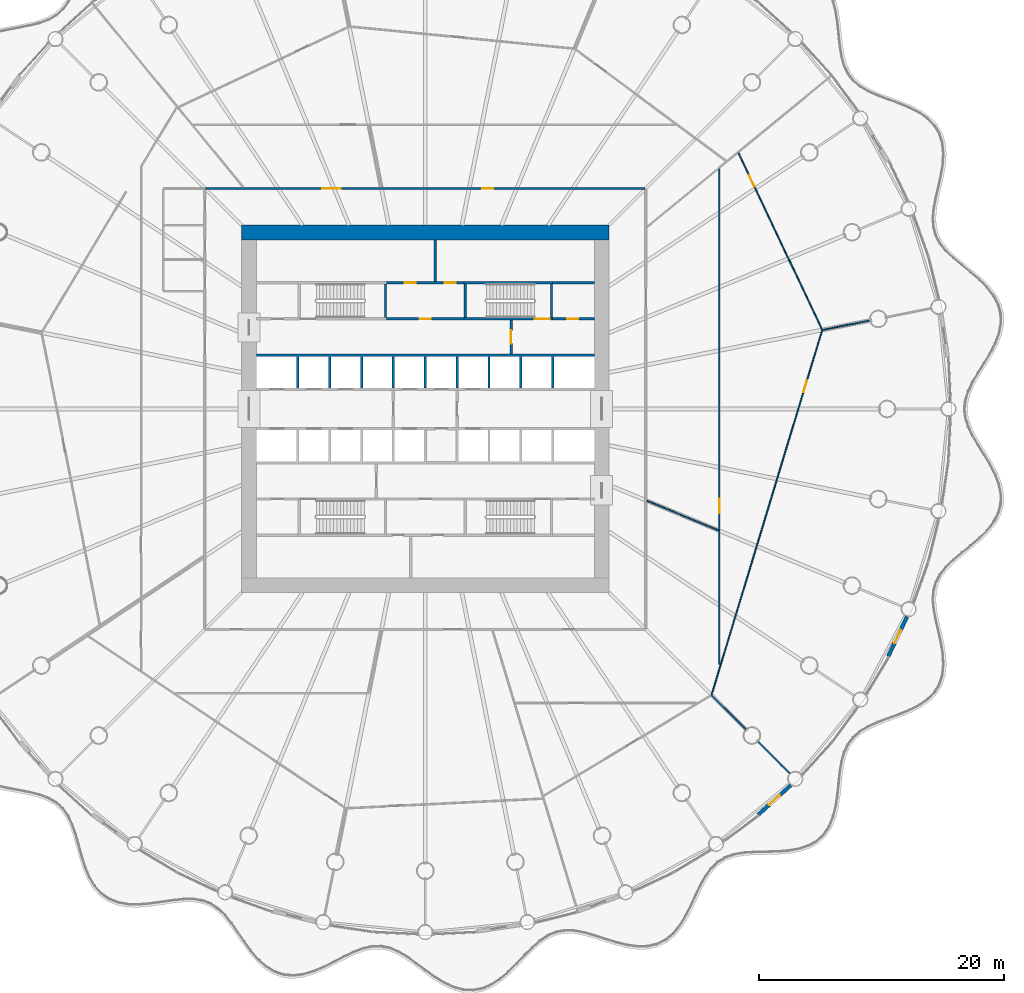
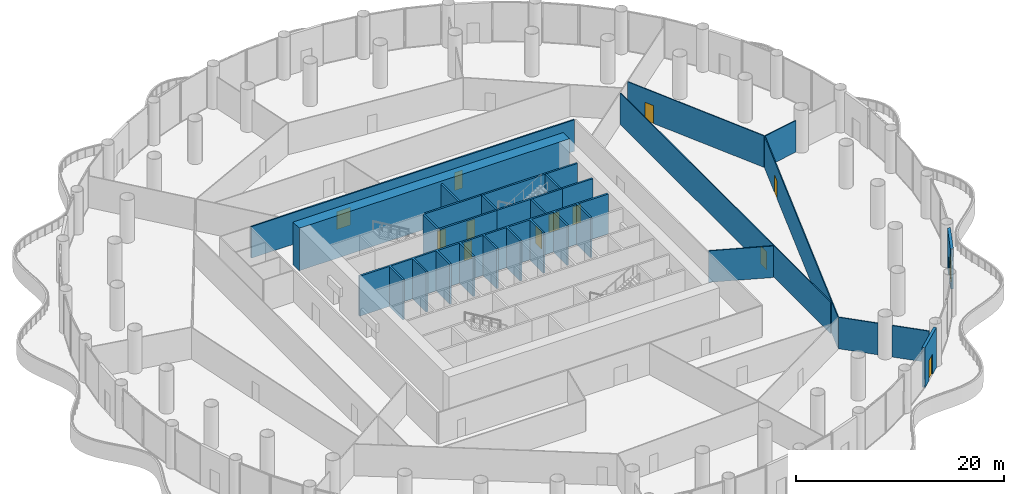
# One storey, part 25 of 35: 24 walls, 13 doors, 13 openings.
"""IFC4 building model written with IfcOpenShell, lengths in metres."""

from ifc_helpers import new_model, si_unit, direction, frame, frame_2d, origin, place, context, subcontext, project, spatial, polyline, rectangle, outline, extrude, material, layer, layer_set, type_object, element, fill, save


model = new_model("IFC4")

# Units and contexts
model_context = context("Model", 3, precision=1e-05, world=origin(), true_north=direction((0.0, 1.0)))
body_context = subcontext(model_context, "Body", "Model", "MODEL_VIEW")
ifc_project = project(units=[si_unit("LENGTHUNIT", "METRE"), si_unit("AREAUNIT", "SQUARE_METRE"), si_unit("VOLUMEUNIT", "CUBIC_METRE"), si_unit("PLANEANGLEUNIT", "RADIAN"), si_unit("MASSUNIT", "GRAM", prefix="KILO")], contexts=[model_context])

# Site, building, storey
site_placement = place(None, origin())
site = spatial("IfcSite", under=ifc_project, at=site_placement, CompositionType="ELEMENT")
building_placement = place(site_placement, origin())
building = spatial("IfcBuilding", under=site, at=building_placement, Name="Corvane Civic Tower", CompositionType="ELEMENT")
storey_placement = place(building_placement, frame((0.0, 0.0, 22.0)))
storey = spatial("IfcBuildingStorey", under=building, at=storey_placement, Name="L04", CompositionType="ELEMENT", Elevation=22.0)

# Wall
ifc_material_1 = material(Name="Concrete C80/95", Category="concrete")
ifc_layer_1 = layer(ifc_material_1, 1.199951171875)
ifc_layer_set_1 = layer_set([ifc_layer_1], Name="Concrete C80/95")
wall_type_1 = type_object("IfcWallType", Name="CORE WALL 1200 C80/95", PredefinedType="SHEAR", material=ifc_layer_set_1)
wall_1_placement = place(storey_placement, frame((-15.0, 14.39990234375, 0.0), z_axis=(0.0, 0.0, 1.0), x_axis=(1.0, 0.0, 0.0)))
element("IfcWall", 1, at=wall_1_placement, inside=storey, type_object=wall_type_1, Name="W-L04-core-N", PredefinedType="SHEAR", context=body_context, shape_type="SweptSolid", body=[
    extrude(rectangle(XDim=30.0, YDim=1.199951171875, at=frame_2d((15.0, 0.0))), origin(), (0.0, 0.0, 1.0), 5.0),
])

# Wall, opening, door
ifc_material_2 = material(Name="Concrete C30/37", Category="concrete")
ifc_layer_2 = layer(ifc_material_2, 0.199951171875)
ifc_layer_set_2 = layer_set([ifc_layer_2], Name="Concrete C30/37")
wall_type_2 = type_object("IfcWallType", Name="CR-WALL-200", PredefinedType="PARTITIONING", material=ifc_layer_set_2)
wall_2_placement = place(storey_placement, frame((-3.14990234375, 7.35009765625, 0.0), z_axis=(0.0, 0.0, 1.0), x_axis=(1.0, 0.0, 0.0)))
wall_2 = element("IfcWall", 2, at=wall_2_placement, inside=storey, type_object=wall_type_2, Name="L04 core partition wall", PredefinedType="PARTITIONING", context=body_context, shape_type="SweptSolid", body=[
    extrude(rectangle(XDim=6.2998046875, YDim=0.199951171875, at=frame_2d((3.14990234375, 0.0))), origin(), (0.0, 0.0, 1.0), 4.699951171875),
])
opening_1_placement = place(wall_2_placement, frame((2.699951171875, 0.0, 0.0)))
opening_1 = element("IfcOpeningElement", 3, at=opening_1_placement, cuts=wall_2, Name="Opening L04.C02", PredefinedType="OPENING", context=body_context, shape_type="SweptSolid", body=[
    extrude(rectangle(XDim=0.89990234375, YDim=2.10009765625, at=frame_2d((0.449951171875, 1.050048828125))), frame((0.0, 0.10986328125, 0.0), z_axis=(0.0, -1.0, 0.0), x_axis=(1.0, 0.0, 0.0)), (0.0, 0.0, 1.0), 0.219970703125),
])
ifc_material_3 = material(Name="Steel fire door leaf", Category="steel")
door_type_1 = type_object("IfcDoorType", Name="CR-DOOR-900", OperationType="SINGLE_SWING_LEFT", PredefinedType="DOOR", material=ifc_material_3)
door_1_placement = place(opening_1_placement, origin())
door_1 = element("IfcDoor", 4, at=door_1_placement, inside=storey, type_object=door_type_1, Name="L04 door", OperationType="SINGLE_SWING_LEFT", OverallHeight=2.10009765625, OverallWidth=0.89990234375, PredefinedType="DOOR", context=body_context, shape_type="SweptSolid", body=[
    extrude(rectangle(XDim=0.89990234375, YDim=2.10009765625, at=frame_2d((0.449951171875, 1.050048828125))), frame((0.0, 0.02490234375, 0.0), z_axis=(0.0, -1.0, 0.0), x_axis=(1.0, 0.0, 0.0)), (0.0, 0.0, 1.0), 0.050048828125),
])
fill(opening_1, door_1)

wall_3_placement = place(storey_placement, frame((10.39990234375, 7.35009765625, 0.0), z_axis=(0.0, 0.0, 1.0), x_axis=(1.0, 0.0, 0.0)))
wall_3 = element("IfcWall", 5, at=wall_3_placement, inside=storey, type_object=wall_type_2, Name="L04 core partition wall", PredefinedType="PARTITIONING", context=body_context, shape_type="SweptSolid", body=[
    extrude(rectangle(XDim=3.400146484375, YDim=0.199951171875, at=frame_2d((1.7001953125, 0.0))), origin(), (0.0, 0.0, 1.0), 4.699951171875),
])
opening_2_placement = place(wall_3_placement, frame((1.199951171875, 0.0, 0.0)))
opening_2 = element("IfcOpeningElement", 6, at=opening_2_placement, cuts=wall_3, Name="Opening L04.C10", PredefinedType="OPENING", context=body_context, shape_type="SweptSolid", body=[
    extrude(rectangle(XDim=0.89990234375, YDim=2.10009765625, at=frame_2d((0.449951171875, 1.050048828125))), frame((0.0, 0.10986328125, 0.0), z_axis=(0.0, -1.0, 0.0), x_axis=(1.0, 0.0, 0.0)), (0.0, 0.0, 1.0), 0.219970703125),
])
door_2_placement = place(opening_2_placement, origin())
door_2 = element("IfcDoor", 7, at=door_2_placement, inside=storey, type_object=door_type_1, Name="L04 door", OperationType="SINGLE_SWING_LEFT", OverallHeight=2.10009765625, OverallWidth=0.89990234375, PredefinedType="DOOR", context=body_context, shape_type="SweptSolid", body=[
    extrude(rectangle(XDim=0.89990234375, YDim=2.10009765625, at=frame_2d((0.449951171875, 1.050048828125))), frame((0.0, 0.02490234375, 0.0), z_axis=(0.0, -1.0, 0.0), x_axis=(1.0, 0.0, 0.0)), (0.0, 0.0, 1.0), 0.050048828125),
])
fill(opening_2, door_2)

# Wall, openings, doors
wall_4_placement = place(storey_placement, frame((-3.14990234375, 10.300048828125, 0.0), z_axis=(0.0, 0.0, 1.0), x_axis=(1.0, 0.0, 0.0)))
wall_4 = element("IfcWall", 8, at=wall_4_placement, inside=storey, type_object=wall_type_2, Name="L04 partition wall", PredefinedType="PARTITIONING", context=body_context, shape_type="SweptSolid", body=[
    extrude(rectangle(XDim=6.2998046875, YDim=0.199951171875, at=frame_2d((3.14990234375, 0.0))), origin(), (0.0, 0.0, 1.0), 4.699951171875),
])
opening_3_placement = place(wall_4_placement, frame((1.47509765625, 0.0, 0.0)))
opening_3 = element("IfcOpeningElement", 9, at=opening_3_placement, cuts=wall_4, Name="Opening L04.C04", PredefinedType="OPENING", context=body_context, shape_type="SweptSolid", body=[
    extrude(rectangle(XDim=0.89990234375, YDim=2.10009765625, at=frame_2d((0.449951171875, 1.050048828125))), frame((0.0, 0.10986328125, 0.0), z_axis=(0.0, -1.0, 0.0), x_axis=(1.0, 0.0, 0.0)), (0.0, 0.0, 1.0), 0.219970703125),
])
opening_4_placement = place(wall_4_placement, frame((4.72509765625, 0.0, 0.0)))
opening_4 = element("IfcOpeningElement", 10, at=opening_4_placement, cuts=wall_4, Name="Opening L04.C05", PredefinedType="OPENING", context=body_context, shape_type="SweptSolid", body=[
    extrude(rectangle(XDim=0.89990234375, YDim=2.10009765625, at=frame_2d((0.449951171875, 1.050048828125))), frame((0.0, 0.10986328125, 0.0), z_axis=(0.0, -1.0, 0.0), x_axis=(1.0, 0.0, 0.0)), (0.0, 0.0, 1.0), 0.219970703125),
])
door_3_placement = place(opening_3_placement, origin())
door_3 = element("IfcDoor", 11, at=door_3_placement, inside=storey, type_object=door_type_1, Name="L04 door", OperationType="SINGLE_SWING_LEFT", OverallHeight=2.10009765625, OverallWidth=0.89990234375, PredefinedType="DOOR", context=body_context, shape_type="SweptSolid", body=[
    extrude(rectangle(XDim=0.89990234375, YDim=2.10009765625, at=frame_2d((0.449951171875, 1.050048828125))), frame((0.0, 0.02490234375, 0.0), z_axis=(0.0, -1.0, 0.0), x_axis=(1.0, 0.0, 0.0)), (0.0, 0.0, 1.0), 0.050048828125),
])
fill(opening_3, door_3)
door_4_placement = place(opening_4_placement, origin())
door_4 = element("IfcDoor", 12, at=door_4_placement, inside=storey, type_object=door_type_1, Name="L04 door", OperationType="SINGLE_SWING_LEFT", OverallHeight=2.10009765625, OverallWidth=0.89990234375, PredefinedType="DOOR", context=body_context, shape_type="SweptSolid", body=[
    extrude(rectangle(XDim=0.89990234375, YDim=2.10009765625, at=frame_2d((0.449951171875, 1.050048828125))), frame((0.0, 0.02490234375, 0.0), z_axis=(0.0, -1.0, 0.0), x_axis=(1.0, 0.0, 0.0)), (0.0, 0.0, 1.0), 0.050048828125),
])
fill(opening_4, door_4)

# Wall, opening, door
wall_5_placement = place(storey_placement, frame((7.0, 4.5, 0.0), z_axis=(0.0, 0.0, 1.0), x_axis=(0.0, 1.0, 0.0)))
wall_5 = element("IfcWall", 13, at=wall_5_placement, inside=storey, type_object=wall_type_2, Name="L04 core partition wall", PredefinedType="PARTITIONING", context=body_context, shape_type="SweptSolid", body=[
    extrude(rectangle(XDim=2.75, YDim=0.199951171875, at=frame_2d((1.375, 0.0))), origin(), (0.0, 0.0, 1.0), 4.699951171875),
])
opening_5_placement = place(wall_5_placement, frame((0.824951171875, 0.0, 0.0)))
opening_5 = element("IfcOpeningElement", 14, at=opening_5_placement, cuts=wall_5, Name="Opening L04.C18", PredefinedType="OPENING", context=body_context, shape_type="SweptSolid", body=[
    extrude(rectangle(XDim=1.10009765625, YDim=2.10009765625, at=frame_2d((0.550048828125, 1.050048828125))), frame((0.0, 0.10986328125, 0.0), z_axis=(0.0, -1.0, 0.0), x_axis=(1.0, 0.0, 0.0)), (0.0, 0.0, 1.0), 0.219970703125),
])
ifc_material_4 = material(Name="Steel fire door leaf", Category="steel")
door_type_2 = type_object("IfcDoorType", Name="CR-DOOR-FFL-1100", OperationType="SINGLE_SWING_LEFT", PredefinedType="DOOR", material=ifc_material_4)
door_5_placement = place(opening_5_placement, origin())
door_5 = element("IfcDoor", 15, at=door_5_placement, inside=storey, type_object=door_type_2, Name="L04 lobby door", OperationType="SINGLE_SWING_LEFT", OverallHeight=2.10009765625, OverallWidth=1.10009765625, PredefinedType="DOOR", context=body_context, shape_type="SweptSolid", body=[
    extrude(rectangle(XDim=1.10009765625, YDim=2.10009765625, at=frame_2d((0.550048828125, 1.050048828125))), frame((0.0, 0.02490234375, 0.0), z_axis=(0.0, -1.0, 0.0), x_axis=(1.0, 0.0, 0.0)), (0.0, 0.0, 1.0), 0.050048828125),
])
fill(opening_5, door_5)

# Walls
wall_6_placement = place(storey_placement, origin())
element("IfcWall", 16, at=wall_6_placement, inside=storey, type_object=wall_type_2, Name="L04 core partition wall", PredefinedType="PARTITIONING", context=body_context, shape_type="SweptSolid", body=[
    extrude(outline(polyline([(-5.10009765625, 4.300048828125), (-5.10009765625, 1.699951171875), (-5.300048828125, 1.699951171875), (-5.300048828125, 4.300048828125), (-7.699951171875, 4.300048828125), (-7.699951171875, 1.699951171875), (-7.89990234375, 1.699951171875), (-7.89990234375, 4.300048828125), (-10.300048828125, 4.300048828125), (-10.300048828125, 1.699951171875), (-10.5, 1.699951171875), (-10.5, 4.300048828125), (-13.800048828125, 4.300048828125), (-13.800048828125, 4.5), (13.800048828125, 4.5), (13.800048828125, 4.300048828125), (10.5, 4.300048828125), (10.5, 1.699951171875), (10.300048828125, 1.699951171875), (10.300048828125, 4.300048828125), (7.89990234375, 4.300048828125), (7.89990234375, 1.699951171875), (7.699951171875, 1.699951171875), (7.699951171875, 4.300048828125), (5.300048828125, 4.300048828125), (5.300048828125, 1.699951171875), (5.10009765625, 1.699951171875), (5.10009765625, 4.300048828125), (2.699951171875, 4.300048828125), (2.699951171875, 1.699951171875), (2.5, 1.699951171875), (2.5, 4.300048828125), (0.10009765625, 4.300048828125), (0.10009765625, 1.699951171875), (-0.10009765625, 1.699951171875), (-0.10009765625, 4.300048828125), (-2.5, 4.300048828125), (-2.5, 1.699951171875), (-2.699951171875, 1.699951171875), (-2.699951171875, 4.300048828125), (-5.10009765625, 4.300048828125)])), origin(), (0.0, 0.0, 1.0), 4.699951171875),
])
wall_7_placement = place(storey_placement, origin())
element("IfcWall", 17, at=wall_7_placement, inside=storey, type_object=wall_type_2, Name="L04 core partition wall", PredefinedType="PARTITIONING", context=body_context, shape_type="SweptSolid", body=[
    extrude(outline(polyline([(0.89990234375, 10.39990234375), (0.699951171875, 10.39990234375), (0.699951171875, 13.800048828125), (0.89990234375, 13.800048828125), (0.89990234375, 10.39990234375)])), origin(), (0.0, 0.0, 1.0), 4.699951171875),
])
wall_8_placement = place(storey_placement, origin())
element("IfcWall", 18, at=wall_8_placement, inside=storey, type_object=wall_type_2, Name="L04 core partition wall", PredefinedType="PARTITIONING", context=body_context, shape_type="SweptSolid", body=[
    extrude(outline(polyline([(10.39990234375, 10.199951171875), (10.39990234375, 10.39990234375), (13.800048828125, 10.39990234375), (13.800048828125, 10.199951171875), (10.39990234375, 10.199951171875)])), origin(), (0.0, 0.0, 1.0), 4.699951171875),
])

# Wall, opening, door
ifc_material_5 = material(Name="Terracotta cladding", Category="masonry")
ifc_layer_3 = layer(ifc_material_5, 0.300048828125)
ifc_layer_set_3 = layer_set([ifc_layer_3], Name="Terracotta cladding")
wall_type_3 = type_object("IfcWallType", Name="PODIUM-W-DRUMDOOR-300", PredefinedType="SOLIDWALL", material=ifc_layer_set_3)
wall_9_placement = place(storey_placement, frame((39.317626953125, -16.9697265625, 0.0), z_axis=(0.0, 0.0, 1.0), x_axis=(-0.427546758778, -0.903993235074, 0.0)))
wall_9 = element("IfcWall", 19, at=wall_9_placement, inside=storey, type_object=wall_type_3, Name="L04 drum door bay wall 11", PredefinedType="SOLIDWALL", context=body_context, shape_type="SweptSolid", body=[
    extrude(rectangle(XDim=3.559814453125, YDim=0.300048828125, at=frame_2d((1.77978515625, 0.0))), origin(), (0.0, 0.0, 1.0), 4.699951171875),
])
opening_6_placement = place(wall_9_placement, frame((1.179931640625, 0.0, 0.0)))
opening_6 = element("IfcOpeningElement", 20, at=opening_6_placement, cuts=wall_9, Name="Opening ED-L04-11", PredefinedType="OPENING", context=body_context, shape_type="SweptSolid", body=[
    extrude(rectangle(XDim=1.199951171875, YDim=2.39990234375, at=frame_2d((0.60009765625, 1.199951171875))), frame((0.0, 0.159912109375, 0.0), z_axis=(0.0, -1.0, 0.0), x_axis=(1.0, 0.0, 0.0)), (0.0, 0.0, 1.0), 0.320068359375),
])
ifc_material_6 = material(Name="Anodised aluminium and glass", Category="aluminium")
door_type_3 = type_object("IfcDoorType", Name="PODIUM-D-BALCONY-1200", OperationType="SINGLE_SWING_LEFT", PredefinedType="DOOR", material=ifc_material_6)
door_6_placement = place(opening_6_placement, origin())
door_6 = element("IfcDoor", 21, at=door_6_placement, inside=storey, type_object=door_type_3, Name="L04 balcony door 11", OperationType="SINGLE_SWING_LEFT", OverallHeight=2.39990234375, OverallWidth=1.199951171875, PredefinedType="DOOR", context=body_context, shape_type="SweptSolid", body=[
    extrude(rectangle(XDim=1.199951171875, YDim=2.39990234375, at=frame_2d((0.60009765625, 1.199951171875))), frame((0.0, 0.02490234375, 0.0), z_axis=(0.0, -1.0, 0.0), x_axis=(1.0, 0.0, 0.0)), (0.0, 0.0, 1.0), 0.050048828125),
])
fill(opening_6, door_6)

wall_10_placement = place(storey_placement, frame((29.83056640625, -30.72412109375, 0.0), z_axis=(0.0, 0.0, 1.0), x_axis=(-0.740922965913, -0.671590022694, 0.0)))
wall_10 = element("IfcWall", 22, at=wall_10_placement, inside=storey, type_object=wall_type_3, Name="L04 drum door bay wall 13", PredefinedType="SOLIDWALL", context=body_context, shape_type="SweptSolid", body=[
    extrude(rectangle(XDim=3.56005859375, YDim=0.300048828125, at=frame_2d((1.780029296875, 0.0))), origin(), (0.0, 0.0, 1.0), 4.699951171875),
])
opening_7_placement = place(wall_10_placement, frame((1.179931640625, 0.0, 0.0)))
opening_7 = element("IfcOpeningElement", 23, at=opening_7_placement, cuts=wall_10, Name="Opening ED-L04-13", PredefinedType="OPENING", context=body_context, shape_type="SweptSolid", body=[
    extrude(rectangle(XDim=1.199951171875, YDim=2.39990234375, at=frame_2d((0.60009765625, 1.199951171875))), frame((0.0, 0.159912109375, 0.0), z_axis=(0.0, -1.0, 0.0), x_axis=(1.0, 0.0, 0.0)), (0.0, 0.0, 1.0), 0.320068359375),
])
door_7_placement = place(opening_7_placement, origin())
door_7 = element("IfcDoor", 24, at=door_7_placement, inside=storey, type_object=door_type_3, Name="L04 balcony door 13", OperationType="SINGLE_SWING_LEFT", OverallHeight=2.39990234375, OverallWidth=1.199951171875, PredefinedType="DOOR", context=body_context, shape_type="SweptSolid", body=[
    extrude(rectangle(XDim=1.199951171875, YDim=2.39990234375, at=frame_2d((0.60009765625, 1.199951171875))), frame((0.0, 0.02490234375, 0.0), z_axis=(0.0, -1.0, 0.0), x_axis=(1.0, 0.0, 0.0)), (0.0, 0.0, 1.0), 0.050048828125),
])
fill(opening_7, door_7)

# Walls
ifc_material_7 = material(Name="Plasterboard")
ifc_layer_4 = layer(ifc_material_7, 0.10009765625)
ifc_layer_set_4 = layer_set([ifc_layer_4], Name="Plasterboard")
wall_type_4 = type_object("IfcWallType", Name="Partition 100 plasterboard on studs", PredefinedType="PARTITIONING", material=ifc_layer_set_4)
wall_11_placement = place(storey_placement, frame((27.159912109375, -27.159912109375, 0.0), z_axis=(0.0, 0.0, 1.0), x_axis=(0.707106781187, -0.707106781187, 0.0)))
element("IfcWall", 25, at=wall_11_placement, inside=storey, type_object=wall_type_4, Name="Partition L04.007", PredefinedType="PARTITIONING", context=body_context, shape_type="SweptSolid", body=[
    extrude(rectangle(XDim=3.679931640625, YDim=0.10009765625, at=frame_2d((1.83984375, 0.0))), origin(), (0.0, 0.0, 1.0), 3.699951171875),
])
wall_12_placement = place(storey_placement, frame((23.38916015625, -23.38916015625, 0.0), z_axis=(0.0, 0.0, 1.0), x_axis=(0.707106781187, -0.707106781187, 0.0)))
element("IfcWall", 26, at=wall_12_placement, inside=storey, type_object=wall_type_4, Name="Partition L04.008", PredefinedType="PARTITIONING", context=body_context, shape_type="SweptSolid", body=[
    extrude(rectangle(XDim=3.912841796875, YDim=0.10009765625, at=frame_2d((1.95654296875, 0.0))), origin(), (0.0, 0.0, 1.0), 3.699951171875),
])
wall_13_placement = place(storey_placement, frame((23.370361328125, -23.3330078125, 0.0), z_axis=(0.0, 0.0, 1.0), x_axis=(0.290231509262, 0.956956462454, 0.0)))
element("IfcWall", 27, at=wall_13_placement, inside=storey, type_object=wall_type_4, Name="Partition L04.011", PredefinedType="PARTITIONING", context=body_context, shape_type="SweptSolid", body=[
    extrude(rectangle(XDim=2.56982421875, YDim=0.10009765625, at=frame_2d((1.284912109375, 0.0))), origin(), (0.0, 0.0, 1.0), 3.699951171875),
])

# Wall, opening, door
wall_14_placement = place(storey_placement, frame((24.1162109375, -20.873779296875, 0.0), z_axis=(0.0, 0.0, 1.0), x_axis=(0.290287037013, 0.956939619904, 0.0)))
wall_14 = element("IfcWall", 28, at=wall_14_placement, inside=storey, type_object=wall_type_4, Name="Partition L04.015", PredefinedType="PARTITIONING", context=body_context, shape_type="SweptSolid", body=[
    extrude(rectangle(XDim=28.5185546875, YDim=0.10009765625, at=frame_2d((14.25927734375, 0.0))), origin(), (0.0, 0.0, 1.0), 3.699951171875),
])
opening_8_placement = place(wall_14_placement, frame((23.239013671875, 0.0, 0.0)))
opening_8 = element("IfcOpeningElement", 29, at=opening_8_placement, cuts=wall_14, Name="Opening L04.014", PredefinedType="OPENING", context=body_context, shape_type="SweptSolid", body=[
    extrude(rectangle(XDim=1.0, YDim=2.10009765625, at=frame_2d((0.5, 1.050048828125))), frame((0.0, 0.06005859375, 0.0), z_axis=(0.0, -1.0, 0.0), x_axis=(1.0, 0.0, 0.0)), (0.0, 0.0, 1.0), 0.1201171875),
])
ifc_material_8 = material(Name="Timber", Category="wood")
door_type_4 = type_object("IfcDoorType", Name="Single door 1000", OperationType="NOTDEFINED", PredefinedType="DOOR", material=ifc_material_8)
door_8_placement = place(opening_8_placement, frame((1.0, 0.0, 0.0), z_axis=(0.0, 0.0, 1.0), x_axis=(-1.0, 0.0, 0.0)))
door_8 = element("IfcDoor", 30, at=door_8_placement, inside=storey, type_object=door_type_4, Name="Door L04.014", OperationType="SINGLE_SWING_LEFT", OverallHeight=2.10009765625, OverallWidth=1.0, PredefinedType="DOOR", context=body_context, shape_type="SweptSolid", body=[
    extrude(rectangle(XDim=1.0, YDim=2.10009765625, at=frame_2d((0.5, 1.050048828125))), frame((0.0, 0.02490234375, 0.0), z_axis=(0.0, -1.0, 0.0), x_axis=(1.0, 0.0, 0.0)), (0.0, 0.0, 1.0), 0.050048828125),
])
fill(opening_8, door_8)

wall_15_placement = place(storey_placement, frame((24.0, -20.846435546875, 0.0), z_axis=(0.0, 0.0, 1.0), x_axis=(0.0, 1.0, 0.0)))
wall_15 = element("IfcWall", 31, at=wall_15_placement, inside=storey, type_object=wall_type_4, Name="Partition L04.016", PredefinedType="PARTITIONING", context=body_context, shape_type="SweptSolid", body=[
    extrude(rectangle(XDim=40.43701171875, YDim=0.10009765625, at=frame_2d((20.218505859375, 0.0))), origin(), (0.0, 0.0, 1.0), 3.699951171875),
])
opening_9_placement = place(wall_15_placement, frame((12.31884765625, 0.0, 0.0)))
opening_9 = element("IfcOpeningElement", 32, at=opening_9_placement, cuts=wall_15, Name="Opening L04.017", PredefinedType="OPENING", context=body_context, shape_type="SweptSolid", body=[
    extrude(rectangle(XDim=1.199951171875, YDim=2.10009765625, at=frame_2d((0.60009765625, 1.050048828125))), frame((0.0, 0.06005859375, 0.0), z_axis=(0.0, -1.0, 0.0), x_axis=(1.0, 0.0, 0.0)), (0.0, 0.0, 1.0), 0.1201171875),
])
ifc_material_9 = material(Name="Timber", Category="wood")
door_type_5 = type_object("IfcDoorType", Name="Double door 1200", OperationType="NOTDEFINED", PredefinedType="DOOR", material=ifc_material_9)
door_9_placement = place(opening_9_placement, frame((1.199951171875, 0.0, 0.0), z_axis=(0.0, 0.0, 1.0), x_axis=(-1.0, 0.0, 0.0)))
door_9 = element("IfcDoor", 33, at=door_9_placement, inside=storey, type_object=door_type_5, Name="Door L04.017", OperationType="DOUBLE_DOOR_SINGLE_SWING", OverallHeight=2.10009765625, OverallWidth=1.199951171875, PredefinedType="DOOR", context=body_context, shape_type="SweptSolid", body=[
    extrude(rectangle(XDim=1.199951171875, YDim=2.10009765625, at=frame_2d((0.60009765625, 1.050048828125))), frame((0.0, 0.02490234375, 0.0), z_axis=(0.0, -1.0, 0.0), x_axis=(1.0, 0.0, 0.0)), (0.0, 0.0, 1.0), 0.050048828125),
])
fill(opening_9, door_9)

# Walls
wall_16_placement = place(storey_placement, frame((18.093994140625, -7.494873046875, 0.0), z_axis=(0.0, 0.0, 1.0), x_axis=(0.923879776374, -0.382682843627, 0.0)))
element("IfcWall", 34, at=wall_16_placement, inside=storey, type_object=wall_type_4, Name="Partition L04.023", PredefinedType="PARTITIONING", context=body_context, shape_type="SweptSolid", body=[
    extrude(rectangle(XDim=6.31787109375, YDim=0.10009765625, at=frame_2d((3.158935546875, 0.0))), origin(), (0.0, 0.0, 1.0), 3.699951171875),
])
wall_17_placement = place(storey_placement, frame((32.441650390625, 6.452880859375, 0.0), z_axis=(0.0, 0.0, 1.0), x_axis=(0.98078174045, 0.195108117717, 0.0)))
element("IfcWall", 35, at=wall_17_placement, inside=storey, type_object=wall_type_4, Name="Partition L04.025", PredefinedType="PARTITIONING", context=body_context, shape_type="SweptSolid", body=[
    extrude(rectangle(XDim=3.912841796875, YDim=0.10009765625, at=frame_2d((1.95654296875, 0.0))), origin(), (0.0, 0.0, 1.0), 3.699951171875),
])

# Wall, opening, door
wall_18_placement = place(storey_placement, frame((25.56640625, 20.9013671875, 0.0), z_axis=(0.0, 0.0, 1.0), x_axis=(0.427547459036, -0.903992903883, 0.0)))
wall_18 = element("IfcWall", 36, at=wall_18_placement, inside=storey, type_object=wall_type_4, Name="Partition L04.026", PredefinedType="PARTITIONING", context=body_context, shape_type="SweptSolid", body=[
    extrude(rectangle(XDim=15.9521484375, YDim=0.10009765625, at=frame_2d((7.97607421875, 0.0))), origin(), (0.0, 0.0, 1.0), 3.699951171875),
])
opening_10_placement = place(wall_18_placement, frame((2.0283203125, 0.0, 0.0)))
opening_10 = element("IfcOpeningElement", 37, at=opening_10_placement, cuts=wall_18, Name="Opening L04.013", PredefinedType="OPENING", context=body_context, shape_type="SweptSolid", body=[
    extrude(rectangle(XDim=1.0, YDim=2.10009765625, at=frame_2d((0.5, 1.050048828125))), frame((0.0, 0.06005859375, 0.0), z_axis=(0.0, -1.0, 0.0), x_axis=(1.0, 0.0, 0.0)), (0.0, 0.0, 1.0), 0.1201171875),
])
door_10_placement = place(opening_10_placement, origin())
door_10 = element("IfcDoor", 38, at=door_10_placement, inside=storey, type_object=door_type_4, Name="Door L04.013", OperationType="SINGLE_SWING_LEFT", OverallHeight=2.10009765625, OverallWidth=1.0, PredefinedType="DOOR", context=body_context, shape_type="SweptSolid", body=[
    extrude(rectangle(XDim=1.0, YDim=2.10009765625, at=frame_2d((0.5, 1.050048828125))), frame((0.0, 0.02490234375, 0.0), z_axis=(0.0, -1.0, 0.0), x_axis=(1.0, 0.0, 0.0)), (0.0, 0.0, 1.0), 0.050048828125),
])
fill(opening_10, door_10)

ifc_material_10 = material(Name="Concrete C50/60", Category="concrete")
ifc_layer_5 = layer(ifc_material_10, 0.199951171875)
ifc_layer_set_5 = layer_set([ifc_layer_5], Name="Concrete C50/60")
wall_type_5 = type_object("IfcWallType", Name="ST-WALL-200", PredefinedType="SHEAR", material=ifc_layer_set_5)
wall_19_placement = place(storey_placement, frame((3.14990234375, 7.35009765625, 0.0), z_axis=(0.0, 0.0, 1.0), x_axis=(1.0, 0.0, 0.0)))
wall_19 = element("IfcWall", 39, at=wall_19_placement, inside=storey, type_object=wall_type_5, Name="L04 stair enclosure wall", PredefinedType="SHEAR", context=body_context, shape_type="SweptSolid", body=[
    extrude(rectangle(XDim=7.25, YDim=0.199951171875, at=frame_2d((3.625, 0.0))), origin(), (0.0, 0.0, 1.0), 4.699951171875),
])
opening_11_placement = place(wall_19_placement, frame((5.800048828125, 0.0, 0.0)))
opening_11 = element("IfcOpeningElement", 40, at=opening_11_placement, cuts=wall_19, Name="Opening L04.C12", PredefinedType="OPENING", context=body_context, shape_type="SweptSolid", body=[
    extrude(rectangle(XDim=1.199951171875, YDim=2.10009765625, at=frame_2d((0.60009765625, 1.050048828125))), frame((0.0, 0.10986328125, 0.0), z_axis=(0.0, -1.0, 0.0), x_axis=(1.0, 0.0, 0.0)), (0.0, 0.0, 1.0), 0.219970703125),
])
ifc_material_11 = material(Name="Steel fire door leaf", Category="steel")
door_type_6 = type_object("IfcDoorType", Name="ST-DOOR-1200", OperationType="SINGLE_SWING_RIGHT", PredefinedType="DOOR", material=ifc_material_11)
door_11_placement = place(opening_11_placement, origin())
door_11 = element("IfcDoor", 41, at=door_11_placement, inside=storey, type_object=door_type_6, Name="L04 stair door", OperationType="SINGLE_SWING_RIGHT", OverallHeight=2.10009765625, OverallWidth=1.199951171875, PredefinedType="DOOR", context=body_context, shape_type="SweptSolid", body=[
    extrude(rectangle(XDim=1.199951171875, YDim=2.10009765625, at=frame_2d((0.60009765625, 1.050048828125))), frame((0.0, 0.02490234375, 0.0), z_axis=(0.0, -1.0, 0.0), x_axis=(1.0, 0.0, 0.0)), (0.0, 0.0, 1.0), 0.050048828125),
])
fill(opening_11, door_11)

# Walls
wall_20_placement = place(storey_placement, origin())
element("IfcWall", 42, at=wall_20_placement, inside=storey, type_object=wall_type_5, Name="L04 stair enclosure wall", PredefinedType="SHEAR", context=body_context, shape_type="SweptSolid", body=[
    extrude(outline(polyline([(10.39990234375, 10.199951171875), (3.14990234375, 10.199951171875), (3.14990234375, 10.39990234375), (10.39990234375, 10.39990234375), (10.39990234375, 10.199951171875)])), origin(), (0.0, 0.0, 1.0), 4.699951171875),
])
wall_21_placement = place(storey_placement, origin())
element("IfcWall", 43, at=wall_21_placement, inside=storey, type_object=wall_type_5, Name="L04 stair enclosure wall", PredefinedType="SHEAR", context=body_context, shape_type="SweptSolid", body=[
    extrude(outline(polyline([(-3.14990234375, 7.449951171875), (-3.35009765625, 7.449951171875), (-3.35009765625, 10.199951171875), (-3.14990234375, 10.199951171875), (-3.14990234375, 7.449951171875)])), origin(), (0.0, 0.0, 1.0), 4.699951171875),
])
wall_22_placement = place(storey_placement, origin())
element("IfcWall", 44, at=wall_22_placement, inside=storey, type_object=wall_type_5, Name="L04 stair enclosure wall", PredefinedType="SHEAR", context=body_context, shape_type="SweptSolid", body=[
    extrude(outline(polyline([(3.35009765625, 7.449951171875), (3.14990234375, 7.449951171875), (3.14990234375, 10.199951171875), (3.35009765625, 10.199951171875), (3.35009765625, 7.449951171875)])), origin(), (0.0, 0.0, 1.0), 4.699951171875),
])
wall_23_placement = place(storey_placement, origin())
element("IfcWall", 45, at=wall_23_placement, inside=storey, type_object=wall_type_5, Name="L04 stair enclosure wall", PredefinedType="SHEAR", context=body_context, shape_type="SweptSolid", body=[
    extrude(outline(polyline([(10.39990234375, 7.449951171875), (10.199951171875, 7.449951171875), (10.199951171875, 10.199951171875), (10.39990234375, 10.199951171875), (10.39990234375, 7.449951171875)])), origin(), (0.0, 0.0, 1.0), 4.699951171875),
])

# Wall, openings, doors
ifc_material_12 = material(Name="Plasterboard")
ifc_layer_6 = layer(ifc_material_12, 0.14990234375)
ifc_layer_set_6 = layer_set([ifc_layer_6], Name="Plasterboard")
wall_type_6 = type_object("IfcWallType", Name="Tenancy wall 150 EI 60", PredefinedType="PARTITIONING", material=ifc_layer_set_6)
wall_24_placement = place(storey_placement, frame((-17.924072265625, 18.0, 0.0), z_axis=(0.0, 0.0, 1.0), x_axis=(1.0, 0.0, 0.0)))
wall_24 = element("IfcWall", 46, at=wall_24_placement, inside=storey, type_object=wall_type_6, Name="Partition L04.035", PredefinedType="PARTITIONING", context=body_context, shape_type="SweptSolid", body=[
    extrude(rectangle(XDim=35.84912109375, YDim=0.14990234375, at=frame_2d((17.924560546875, 0.0))), origin(), (0.0, 0.0, 1.0), 3.699951171875),
])
opening_12_placement = place(wall_24_placement, frame((9.50927734375, 0.0, 0.0)))
opening_12 = element("IfcOpeningElement", 47, at=opening_12_placement, cuts=wall_24, Name="Opening L04.011", PredefinedType="OPENING", context=body_context, shape_type="SweptSolid", body=[
    extrude(rectangle(XDim=1.5, YDim=2.10009765625, at=frame_2d((0.75, 1.050048828125))), frame((0.0, 0.0849609375, 0.0), z_axis=(0.0, -1.0, 0.0), x_axis=(1.0, 0.0, 0.0)), (0.0, 0.0, 1.0), 0.169921875),
])
opening_13_placement = place(wall_24_placement, frame((22.569091796875, 0.0, 0.0)))
opening_13 = element("IfcOpeningElement", 48, at=opening_13_placement, cuts=wall_24, Name="Opening L04.012", PredefinedType="OPENING", context=body_context, shape_type="SweptSolid", body=[
    extrude(rectangle(XDim=0.89990234375, YDim=2.10009765625, at=frame_2d((0.449951171875, 1.050048828125))), frame((0.0, 0.0849609375, 0.0), z_axis=(0.0, -1.0, 0.0), x_axis=(1.0, 0.0, 0.0)), (0.0, 0.0, 1.0), 0.169921875),
])
ifc_material_13 = material(Name="Steel and timber", Category="steel")
door_type_7 = type_object("IfcDoorType", Name="Fire door FD30S 900", OperationType="NOTDEFINED", PredefinedType="DOOR", material=ifc_material_13)
door_12_placement = place(opening_13_placement, origin())
door_12 = element("IfcDoor", 49, at=door_12_placement, inside=storey, type_object=door_type_7, Name="Door L04.012", OperationType="SINGLE_SWING_RIGHT", OverallHeight=2.10009765625, OverallWidth=0.89990234375, PredefinedType="DOOR", context=body_context, shape_type="SweptSolid", body=[
    extrude(rectangle(XDim=0.89990234375, YDim=2.10009765625, at=frame_2d((0.449951171875, 1.050048828125))), frame((0.0, 0.02490234375, 0.0), z_axis=(0.0, -1.0, 0.0), x_axis=(1.0, 0.0, 0.0)), (0.0, 0.0, 1.0), 0.050048828125),
])
fill(opening_13, door_12)
ifc_material_14 = material(Name="Steel and timber", Category="steel")
door_type_8 = type_object("IfcDoorType", Name="Fire door FD60 double 1500", OperationType="NOTDEFINED", PredefinedType="DOOR", material=ifc_material_14)
door_13_placement = place(opening_12_placement, origin())
door_13 = element("IfcDoor", 50, at=door_13_placement, inside=storey, type_object=door_type_8, Name="Door L04.011", OperationType="DOUBLE_DOOR_SINGLE_SWING", OverallHeight=2.10009765625, OverallWidth=1.5, PredefinedType="DOOR", context=body_context, shape_type="SweptSolid", body=[
    extrude(rectangle(XDim=1.5, YDim=2.10009765625, at=frame_2d((0.75, 1.050048828125))), frame((0.0, 0.02490234375, 0.0), z_axis=(0.0, -1.0, 0.0), x_axis=(1.0, 0.0, 0.0)), (0.0, 0.0, 1.0), 0.050048828125),
])
fill(opening_12, door_13)

save(model, "model.ifc")
